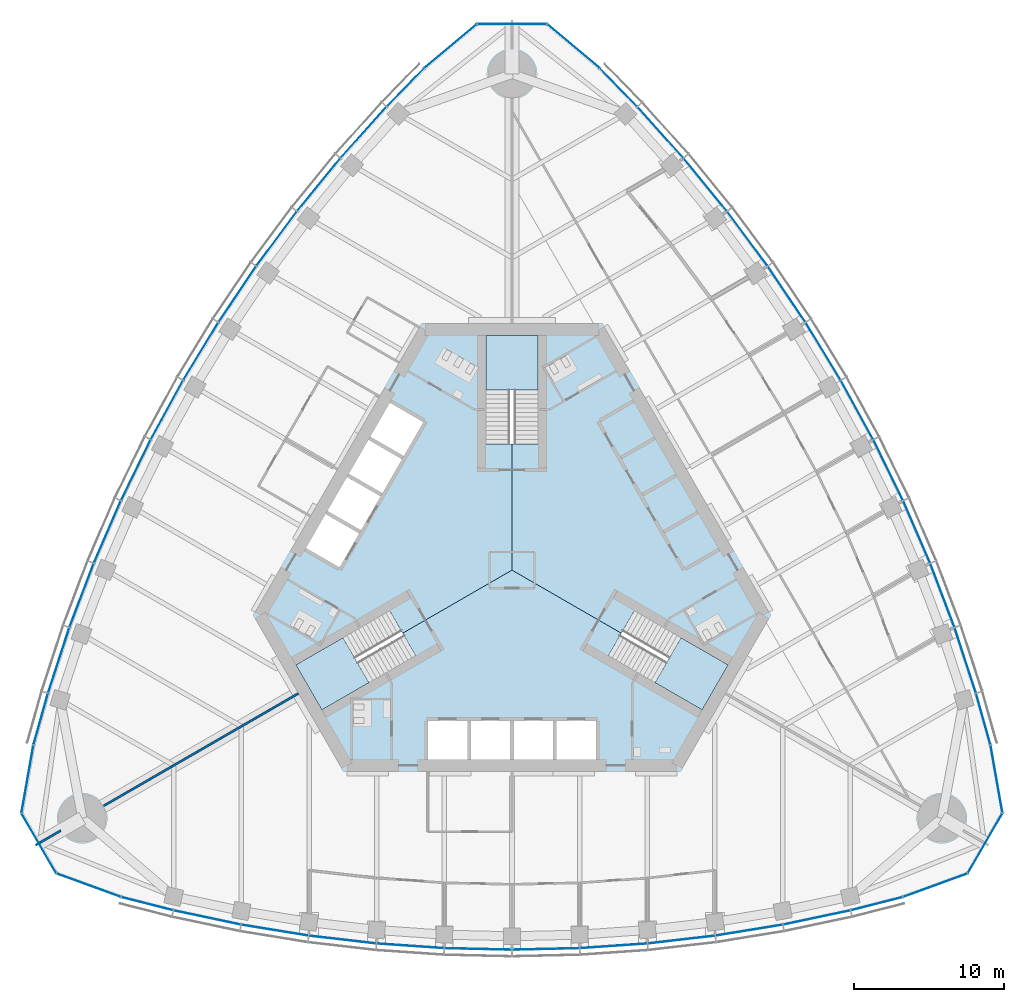
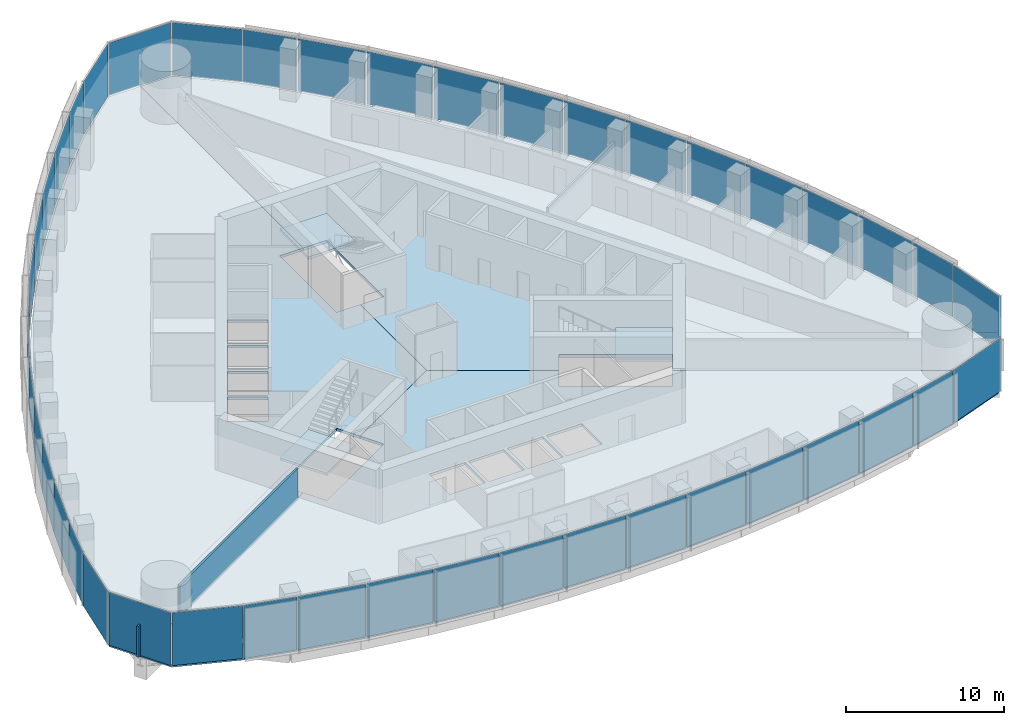
# One storey, part 10 of 20: 45 plates, 6 slabs, 2 walls, 9 elements without a shape of their own.
"""IFC4 building model written with IfcOpenShell, lengths in metres."""

import ifcopenshell
import ifcopenshell.guid

model = None  # the IFC model being written
_history = None  # IfcOwnerHistory: only IFC2X3 demands one
_inside = {}  # id of a spatial element -> (the spatial element, [elements in it])
_under = {}  # id of a project, library or spatial element -> (it, [spatial elements below it])
_declared = {}  # id of a project -> (the project, [libraries it declares])
_typed = {}  # id of a type object -> (the type object, [elements of that type])
_made_of = {}  # id of a material, layer set ... -> (it, [elements and type objects made of it])


def new_model(schema):
    """Start an empty IFC model of exactly this schema.

    Asked for "IFC4X3", IfcOpenShell would pick the latest addendum, in which some entities
    have other attributes; the version numbers below select the first issue.
    IFC2X3 requires an IfcOwnerHistory on every rooted entity: one is made here for all.
    """
    global model, _history
    if schema == "IFC4X3":
        model = ifcopenshell.file(schema_version=(4, 3, 0, 0))
    else:
        model = ifcopenshell.file(schema=schema)
    _inside.clear()
    _under.clear()
    _declared.clear()
    _typed.clear()
    _made_of.clear()
    _history = None
    if model.schema == "IFC2X3":
        org = make("IfcOrganization", Name="unknown")
        user = make(
            "IfcPersonAndOrganization",
            ThePerson=make("IfcPerson", FamilyName="unknown"),
            TheOrganization=org,
        )
        app = make(
            "IfcApplication",
            ApplicationDeveloper=org,
            Version="unknown",
            ApplicationFullName="unknown",
            ApplicationIdentifier="unknown",
        )
        _history = make(
            "IfcOwnerHistory",
            OwningUser=user,
            OwningApplication=app,
            ChangeAction="ADDED",
            CreationDate=0,
        )
    return model


def make(cls, **values):
    """One entity of the class cls with the attributes given. An attribute that is None is left unset."""
    return model.create_entity(
        cls, **{name: value for name, value in values.items() if value is not None}
    )


def rooted(cls, **values):
    """An entity with a GlobalId (a new one), such as an element, a storey or a relation."""
    return make(cls, GlobalId=ifcopenshell.guid.new(), OwnerHistory=_history, **values)


def si_unit(unit_type, name, prefix=None):
    """IfcSIUnit, for example si_unit("LENGTHUNIT", "METRE", prefix="MILLI")."""
    return make("IfcSIUnit", UnitType=unit_type, Prefix=prefix, Name=name)


def assignment(units):
    """IfcUnitAssignment: the units of a project."""
    return None if units is None else make("IfcUnitAssignment", Units=units)


def point(xyz):
    """IfcCartesianPoint."""
    return None if xyz is None else make("IfcCartesianPoint", Coordinates=xyz)


def direction(xyz):
    """IfcDirection."""
    return None if xyz is None else make("IfcDirection", DirectionRatios=xyz)


def frame(location, z_axis=None, x_axis=None):
    """IfcAxis2Placement3D, a coordinate frame: its origin and axes. An axis left out is left unset."""
    return make(
        "IfcAxis2Placement3D",
        Location=point(location),
        Axis=direction(z_axis),
        RefDirection=direction(x_axis),
    )


def frame_2d(location, x_axis=None):
    """IfcAxis2Placement2D, a coordinate frame in the plane: its origin and x axis."""
    return make(
        "IfcAxis2Placement2D", Location=point(location), RefDirection=direction(x_axis)
    )


def origin():
    """The frame at (0, 0, 0) with its axes left unset."""
    return frame((0.0, 0.0, 0.0))


def origin_2d():
    """The frame at (0, 0) in the plane with its x axis left unset."""
    return frame_2d((0.0, 0.0))


def place(relative_to, where):
    """IfcLocalPlacement: puts the frame where relative to a parent placement (None: the world)."""
    return make(
        "IfcLocalPlacement", PlacementRelTo=relative_to, RelativePlacement=where
    )


def context(
    kind, dimensions, precision=None, world=None, true_north=None, identifier=None
):
    """IfcGeometricRepresentationContext, for example the 3D "Model" context."""
    return make(
        "IfcGeometricRepresentationContext",
        ContextIdentifier=identifier,
        ContextType=kind,
        CoordinateSpaceDimension=dimensions,
        Precision=precision,
        WorldCoordinateSystem=world,
        TrueNorth=true_north,
    )


def subcontext(parent, identifier, kind, view, scale=None):
    """IfcGeometricRepresentationSubContext, for example "Body" below "Model"."""
    return make(
        "IfcGeometricRepresentationSubContext",
        ContextIdentifier=identifier,
        ContextType=kind,
        ParentContext=parent,
        TargetScale=scale,
        TargetView=view,
    )


def project(units=None, contexts=None):
    """IfcProject with its units and contexts."""
    return rooted(
        "IfcProject",
        Name="project",
        RepresentationContexts=contexts,
        UnitsInContext=assignment(units),
    )


def spatial(cls, under=None, at=None, **own):
    """A site, building, storey or space (cls), placed at a placement, below another one or the project."""
    s = rooted(cls, ObjectPlacement=at, **own)
    if under is not None:
        _under.setdefault(under.id(), (under, []))[1].append(s)
    return s


def polyline(points):
    """IfcPolyline through the points."""
    return make("IfcPolyline", Points=[point(p) for p in points])


def profile(cls, at=None, kind="AREA", **sizes):
    """A parametric profile (cls). Its sizes go by their IFC names, for example OverallWidth=200.0."""
    return make(cls, ProfileType=kind, Position=at, **sizes)


def rectangle(**sizes):
    """IfcRectangleProfileDef."""
    return profile("IfcRectangleProfileDef", **sizes)


def outline(outer, holes=None, kind="AREA"):
    """IfcArbitraryClosedProfileDef: a profile drawn as a closed curve; with holes, ...WithVoids."""
    if holes is None:
        return make("IfcArbitraryClosedProfileDef", ProfileType=kind, OuterCurve=outer)
    return make(
        "IfcArbitraryProfileDefWithVoids",
        ProfileType=kind,
        OuterCurve=outer,
        InnerCurves=holes,
    )


def extrude(swept, where, along, depth):
    """IfcExtrudedAreaSolid: the profile swept, set in the frame where, extruded along a direction by depth."""
    return make(
        "IfcExtrudedAreaSolid",
        SweptArea=swept,
        Position=where,
        ExtrudedDirection=direction(along),
        Depth=depth,
    )


def shape(context_of_items, identifier, shape_type, items):
    """IfcShapeRepresentation: the items that make up one representation, for example the "Body"."""
    return make(
        "IfcShapeRepresentation",
        ContextOfItems=context_of_items,
        RepresentationIdentifier=identifier,
        RepresentationType=shape_type,
        Items=items,
    )


def material(Name=None, Category=None):
    """IfcMaterial."""
    return make("IfcMaterial", Name=Name, Category=Category)


def layer(
    of_material, thickness, ventilated=None, Name=None, Category=None, Priority=None
):
    """IfcMaterialLayer: one layer of a wall or slab, of a material (None: an air gap)."""
    return make(
        "IfcMaterialLayer",
        Material=of_material,
        LayerThickness=thickness,
        IsVentilated=ventilated,
        Name=Name,
        Category=Category,
        Priority=Priority,
    )


def layer_set(layers, Name=None):
    """IfcMaterialLayerSet."""
    return make("IfcMaterialLayerSet", MaterialLayers=layers, LayerSetName=Name)


def made_of(thing, what):
    """Note that an element or type object is made of a material, layer set ...; save() writes the relation."""
    if what is not None:
        _made_of.setdefault(what.id(), (what, []))[1].append(thing)
    return thing


def type_object(cls, material=None, **own):
    """A type object (cls), such as IfcWallType, which elements share."""
    return made_of(rooted(cls, **own), material)


def element(
    cls,
    number,
    at=None,
    inside=None,
    cuts=None,
    type_object=None,
    material=None,
    context=None,
    identifier="Body",
    shape_type=None,
    held_by="IfcProductDefinitionShape",
    body=None,
    shapes=None,
    **own,
):
    """One element of the class cls, such as IfcWall. Its Tag is "e" and its number.

    at: its placement. inside: the storey or other place that contains it. cuts: it is an
    opening in that element (IfcRelVoidsElement). A single representation is given by context,
    identifier, shape_type and body (its items); several are given by shapes. held_by: the class
    of the entity that holds the representations. save() writes the other relations.
    """
    e = rooted(cls, Tag="e%d" % number, ObjectPlacement=at, **own)
    if body is not None:
        shapes = [shape(context, identifier, shape_type, body)]
    if shapes is not None:
        e.Representation = make(held_by, Representations=shapes)
    if inside is not None:
        _inside.setdefault(inside.id(), (inside, []))[1].append(e)
    if cuts is not None:
        rooted(
            "IfcRelVoidsElement", RelatingBuildingElement=cuts, RelatedOpeningElement=e
        )
    if type_object is not None:
        _typed.setdefault(type_object.id(), (type_object, []))[1].append(e)
    return made_of(e, material)


def aggregate(whole, parts):
    """IfcRelAggregates: a whole, such as a stair, and the parts it consists of."""
    return rooted("IfcRelAggregates", RelatingObject=whole, RelatedObjects=parts)


def save(model, path):
    """Write the relations noted so far, then the file.

    IfcRelAggregates (storeys below a building ...), IfcRelContainedInSpatialStructure (elements
    in a storey), IfcRelDefinesByType, IfcRelAssociatesMaterial and IfcRelDeclares: one each for
    every whole, place, type object, material and project.
    """
    for whole, parts in _under.values():
        aggregate(whole, parts)
    for where, things in _inside.values():
        rooted(
            "IfcRelContainedInSpatialStructure",
            RelatedElements=things,
            RelatingStructure=where,
        )
    for kind, things in _typed.values():
        rooted("IfcRelDefinesByType", RelatedObjects=things, RelatingType=kind)
    for what, things in _made_of.values():
        rooted("IfcRelAssociatesMaterial", RelatedObjects=things, RelatingMaterial=what)
    for by, libraries in _declared.values():
        rooted("IfcRelDeclares", RelatingContext=by, RelatedDefinitions=libraries)
    model.write(path)


model = new_model("IFC4")

# Units and contexts
model_context = context("Model", 3, precision=1e-05, world=origin(), true_north=direction((0.0, 1.0)))
body_context = subcontext(model_context, "Body", "Model", "MODEL_VIEW")
ifc_project = project(units=[si_unit("LENGTHUNIT", "METRE"), si_unit("AREAUNIT", "SQUARE_METRE"), si_unit("VOLUMEUNIT", "CUBIC_METRE"), si_unit("PLANEANGLEUNIT", "RADIAN"), si_unit("MASSUNIT", "GRAM", prefix="KILO")], contexts=[model_context])

# Site, building, storey
site_placement = place(None, origin())
site = spatial("IfcSite", under=ifc_project, at=site_placement, CompositionType="ELEMENT")
building_placement = place(site_placement, origin())
building = spatial("IfcBuilding", under=site, at=building_placement, Name="Trefoil Bronze Tower", CompositionType="ELEMENT")
storey_placement = place(building_placement, frame((0.0, 0.0, 210.699951171875)))
storey = spatial("IfcBuildingStorey", under=building, at=storey_placement, Name="L48", CompositionType="ELEMENT", Elevation=210.699951171875)

# Curtain wall, plates
ifc_material_1 = material(Name="Tinted solar-control glass", Category="glass")
curtain_wall_type_1 = type_object("IfcCurtainWallType", Name="Bronze office curtain wall", PredefinedType="USERDEFINED", material=ifc_material_1)
curtain_wall_1_placement = place(storey_placement, origin())
curtain_wall_1 = element("IfcCurtainWall", 1, at=curtain_wall_1_placement, inside=storey, type_object=curtain_wall_type_1, Name="CW-A L48 F1", ObjectType="CURTAIN WALL", PredefinedType="USERDEFINED")
ifc_material_2 = material(Name="Tinted solar-control glass", Category="glass")
ifc_layer_1 = layer(ifc_material_2, 0.030029296875)
ifc_layer_set_1 = layer_set([ifc_layer_1], Name="Bronze office curtain wall glass panel")
plate_type_1 = type_object("IfcPlateType", Name="Bronze office curtain wall glass panel", PredefinedType="CURTAIN_PANEL", material=ifc_layer_set_1)
plate_1_placement = place(storey_placement, frame((-24.251220703125, -22.188232421875, 0.0), z_axis=(0.0, 0.0, 1.0), x_axis=(0.968934035393, -0.247319297786, 0.0)))
plate_1 = element("IfcPlate", 2, at=plate_1_placement, type_object=plate_type_1, Name="CW-A L48 F1 panel 1", PredefinedType="CURTAIN_PANEL", context=body_context, shape_type="SweptSolid", body=[
    extrude(rectangle(XDim=3.483642578125, YDim=0.030029296875, at=origin_2d()), origin(), (0.0, 0.0, 1.0), 4.080078125),
])
plate_2_placement = place(storey_placement, frame((-20.270751953125, -23.105224609375, 0.0), z_axis=(0.0, 0.0, 1.0), x_axis=(0.978394335897, -0.20674748725, 0.0)))
plate_2 = element("IfcPlate", 3, at=plate_2_placement, type_object=plate_type_1, Name="CW-A L48 F1 panel 2", PredefinedType="CURTAIN_PANEL", context=body_context, shape_type="SweptSolid", body=[
    extrude(rectangle(XDim=4.519287109375, YDim=0.030029296875, at=origin_2d()), origin(), (0.0, 0.0, 1.0), 4.080078125),
])
plate_3_placement = place(storey_placement, frame((-15.76611328125, -23.9482421875, 0.0), z_axis=(0.0, 0.0, 1.0), x_axis=(0.986986549528, -0.160802832848, 0.0)))
plate_3 = element("IfcPlate", 4, at=plate_3_placement, type_object=plate_type_1, Name="CW-A L48 F1 panel 3", PredefinedType="CURTAIN_PANEL", context=body_context, shape_type="SweptSolid", body=[
    extrude(rectangle(XDim=4.479248046875, YDim=0.030029296875, at=origin_2d()), origin(), (0.0, 0.0, 1.0), 4.080078125),
])
plate_4_placement = place(storey_placement, frame((-11.261474609375, -24.57568359375, 0.0), z_axis=(0.0, 0.0, 1.0), x_axis=(0.993381831741, -0.114858767043, 0.0)))
plate_4 = element("IfcPlate", 5, at=plate_4_placement, type_object=plate_type_1, Name="CW-A L48 F1 panel 4", PredefinedType="CURTAIN_PANEL", context=body_context, shape_type="SweptSolid", body=[
    extrude(rectangle(XDim=4.449951171875, YDim=0.030029296875, at=origin_2d()), origin(), (0.0, 0.0, 1.0), 4.080078125),
])
plate_5_placement = place(storey_placement, frame((-6.7568359375, -24.991455078125, 0.0), z_axis=(0.0, 0.0, 1.0), x_axis=(0.99762252804, -0.068915103905, 0.0)))
plate_5 = element("IfcPlate", 6, at=plate_5_placement, type_object=plate_type_1, Name="CW-A L48 F1 panel 5", PredefinedType="CURTAIN_PANEL", context=body_context, shape_type="SweptSolid", body=[
    extrude(rectangle(XDim=4.4306640625, YDim=0.030029296875, at=origin_2d()), origin(), (0.0, 0.0, 1.0), 4.080078125),
])
plate_6_placement = place(storey_placement, frame((-2.252197265625, -25.198974609375, 0.0), z_axis=(0.0, 0.0, 1.0), x_axis=(0.999736116243, -0.022971675577, 0.0)))
plate_6 = element("IfcPlate", 7, at=plate_6_placement, type_object=plate_type_1, Name="CW-A L48 F1 panel 6", PredefinedType="CURTAIN_PANEL", context=body_context, shape_type="SweptSolid", body=[
    extrude(rectangle(XDim=4.421142578125, YDim=0.030029296875, at=origin_2d()), origin(), (0.0, 0.0, 1.0), 4.080078125),
])
plate_7_placement = place(storey_placement, frame((2.252197265625, -25.198974609375, 0.0), z_axis=(0.0, 0.0, 1.0), x_axis=(0.999736116243, 0.022971675577, 0.0)))
plate_7 = element("IfcPlate", 8, at=plate_7_placement, type_object=plate_type_1, Name="CW-A L48 F1 panel 7", PredefinedType="CURTAIN_PANEL", context=body_context, shape_type="SweptSolid", body=[
    extrude(rectangle(XDim=4.421142578125, YDim=0.030029296875, at=origin_2d()), origin(), (0.0, 0.0, 1.0), 4.080078125),
])
plate_8_placement = place(storey_placement, frame((6.7568359375, -24.991455078125, 0.0), z_axis=(0.0, 0.0, 1.0), x_axis=(0.99762252804, 0.068915103905, 0.0)))
plate_8 = element("IfcPlate", 9, at=plate_8_placement, type_object=plate_type_1, Name="CW-A L48 F1 panel 8", PredefinedType="CURTAIN_PANEL", context=body_context, shape_type="SweptSolid", body=[
    extrude(rectangle(XDim=4.4306640625, YDim=0.030029296875, at=origin_2d()), origin(), (0.0, 0.0, 1.0), 4.080078125),
])
plate_9_placement = place(storey_placement, frame((11.261474609375, -24.57568359375, 0.0), z_axis=(0.0, 0.0, 1.0), x_axis=(0.993381831741, 0.114858767043, 0.0)))
plate_9 = element("IfcPlate", 10, at=plate_9_placement, type_object=plate_type_1, Name="CW-A L48 F1 panel 9", PredefinedType="CURTAIN_PANEL", context=body_context, shape_type="SweptSolid", body=[
    extrude(rectangle(XDim=4.449951171875, YDim=0.030029296875, at=origin_2d()), origin(), (0.0, 0.0, 1.0), 4.080078125),
])
plate_10_placement = place(storey_placement, frame((15.76611328125, -23.9482421875, 0.0), z_axis=(0.0, 0.0, 1.0), x_axis=(0.986986549528, 0.160802832848, 0.0)))
plate_10 = element("IfcPlate", 11, at=plate_10_placement, type_object=plate_type_1, Name="CW-A L48 F1 panel 10", PredefinedType="CURTAIN_PANEL", context=body_context, shape_type="SweptSolid", body=[
    extrude(rectangle(XDim=4.479248046875, YDim=0.030029296875, at=origin_2d()), origin(), (0.0, 0.0, 1.0), 4.080078125),
])
plate_11_placement = place(storey_placement, frame((20.270751953125, -23.105224609375, 0.0), z_axis=(0.0, 0.0, 1.0), x_axis=(0.978394335897, 0.20674748725, 0.0)))
plate_11 = element("IfcPlate", 12, at=plate_11_placement, type_object=plate_type_1, Name="CW-A L48 F1 panel 11", PredefinedType="CURTAIN_PANEL", context=body_context, shape_type="SweptSolid", body=[
    extrude(rectangle(XDim=4.519287109375, YDim=0.030029296875, at=origin_2d()), origin(), (0.0, 0.0, 1.0), 4.080078125),
])
plate_12_placement = place(storey_placement, frame((24.251220703125, -22.188232421875, 0.0), z_axis=(0.0, 0.0, 1.0), x_axis=(0.968934035393, 0.247319297786, 0.0)))
plate_12 = element("IfcPlate", 13, at=plate_12_placement, type_object=plate_type_1, Name="CW-A L48 F1 panel 12", PredefinedType="CURTAIN_PANEL", context=body_context, shape_type="SweptSolid", body=[
    extrude(rectangle(XDim=3.483642578125, YDim=0.030029296875, at=origin_2d()), origin(), (0.0, 0.0, 1.0), 4.080078125),
])
aggregate(curtain_wall_1, [plate_1, plate_2, plate_3, plate_4, plate_5, plate_6, plate_7, plate_8, plate_9, plate_10, plate_11, plate_12])

curtain_wall_2_placement = place(storey_placement, origin())
curtain_wall_2 = element("IfcCurtainWall", 14, at=curtain_wall_2_placement, inside=storey, type_object=curtain_wall_type_1, Name="CW-A L48 F2", ObjectType="CURTAIN WALL", PredefinedType="USERDEFINED")
plate_13_placement = place(storey_placement, frame((31.341064453125, -9.907958984375, 0.0), z_axis=(0.0, 0.0, 1.0), x_axis=(-0.270282222968, 0.962781138134, 0.0)))
plate_13 = element("IfcPlate", 15, at=plate_13_placement, type_object=plate_type_1, Name="CW-A L48 F2 panel 1", PredefinedType="CURTAIN_PANEL", context=body_context, shape_type="SweptSolid", body=[
    extrude(rectangle(XDim=3.483642578125, YDim=0.030029296875, at=origin_2d()), origin(), (0.0, 0.0, 1.0), 4.080078125),
])
plate_14_placement = place(storey_placement, frame((30.14501953125, -6.002197265625, 0.0), z_axis=(0.0, 0.0, 1.0), x_axis=(-0.310148591821, 0.950688093431, 0.0)))
plate_14 = element("IfcPlate", 16, at=plate_14_placement, type_object=plate_type_1, Name="CW-A L48 F2 panel 2", PredefinedType="CURTAIN_PANEL", context=body_context, shape_type="SweptSolid", body=[
    extrude(rectangle(XDim=4.519287109375, YDim=0.030029296875, at=origin_2d()), origin(), (0.0, 0.0, 1.0), 4.080078125),
])
plate_15_placement = place(storey_placement, frame((28.622802734375, -1.6796875, 0.0), z_axis=(0.0, 0.0, 1.0), x_axis=(-0.354233936517, 0.935156841508, 0.0)))
plate_15 = element("IfcPlate", 17, at=plate_15_placement, type_object=plate_type_1, Name="CW-A L48 F2 panel 3", PredefinedType="CURTAIN_PANEL", context=body_context, shape_type="SweptSolid", body=[
    extrude(rectangle(XDim=4.479248046875, YDim=0.030029296875, at=origin_2d()), origin(), (0.0, 0.0, 1.0), 4.080078125),
])
plate_16_placement = place(storey_placement, frame((26.913818359375, 2.53515625, 0.0), z_axis=(0.0, 0.0, 1.0), x_axis=(-0.397220305764, 0.917723285467, 0.0)))
plate_16 = element("IfcPlate", 18, at=plate_16_placement, type_object=plate_type_1, Name="CW-A L48 F2 panel 4", PredefinedType="CURTAIN_PANEL", context=body_context, shape_type="SweptSolid", body=[
    extrude(rectangle(XDim=4.449951171875, YDim=0.030029296875, at=origin_2d()), origin(), (0.0, 0.0, 1.0), 4.080078125),
])
plate_17_placement = place(storey_placement, frame((25.021728515625, 6.64404296875, 0.0), z_axis=(0.0, 0.0, 1.0), x_axis=(-0.439129033334, 0.898424004623, 0.0)))
plate_17 = element("IfcPlate", 19, at=plate_17_placement, type_object=plate_type_1, Name="CW-A L48 F2 panel 5", PredefinedType="CURTAIN_PANEL", context=body_context, shape_type="SweptSolid", body=[
    extrude(rectangle(XDim=4.4306640625, YDim=0.030029296875, at=origin_2d()), origin(), (0.0, 0.0, 1.0), 4.080078125),
])
plate_18_placement = place(storey_placement, frame((22.948974609375, 10.64892578125, 0.0), z_axis=(0.0, 0.0, 1.0), x_axis=(-0.479974003504, 0.877282711536, 0.0)))
plate_18 = element("IfcPlate", 20, at=plate_18_placement, type_object=plate_type_1, Name="CW-A L48 F2 panel 6", PredefinedType="CURTAIN_PANEL", context=body_context, shape_type="SweptSolid", body=[
    extrude(rectangle(XDim=4.421142578125, YDim=0.030029296875, at=origin_2d()), origin(), (0.0, 0.0, 1.0), 4.080078125),
])
plate_19_placement = place(storey_placement, frame((20.69677734375, 14.550048828125, 0.0), z_axis=(0.0, 0.0, 1.0), x_axis=(-0.519762112739, 0.854311035959, 0.0)))
plate_19 = element("IfcPlate", 21, at=plate_19_placement, type_object=plate_type_1, Name="CW-A L48 F2 panel 7", PredefinedType="CURTAIN_PANEL", context=body_context, shape_type="SweptSolid", body=[
    extrude(rectangle(XDim=4.421142578125, YDim=0.030029296875, at=origin_2d()), origin(), (0.0, 0.0, 1.0), 4.080078125),
])
plate_20_placement = place(storey_placement, frame((18.264892578125, 18.347412109375, 0.0), z_axis=(0.0, 0.0, 1.0), x_axis=(-0.558493494706, 0.829508900718, 0.0)))
plate_20 = element("IfcPlate", 22, at=plate_20_placement, type_object=plate_type_1, Name="CW-A L48 F2 panel 8", PredefinedType="CURTAIN_PANEL", context=body_context, shape_type="SweptSolid", body=[
    extrude(rectangle(XDim=4.4306640625, YDim=0.030029296875, at=origin_2d()), origin(), (0.0, 0.0, 1.0), 4.080078125),
])
plate_21_placement = place(storey_placement, frame((15.65234375, 22.04052734375, 0.0), z_axis=(0.0, 0.0, 1.0), x_axis=(-0.596161525977, 0.802864518425, 0.0)))
plate_21 = element("IfcPlate", 23, at=plate_21_placement, type_object=plate_type_1, Name="CW-A L48 F2 panel 9", PredefinedType="CURTAIN_PANEL", context=body_context, shape_type="SweptSolid", body=[
    extrude(rectangle(XDim=4.449951171875, YDim=0.030029296875, at=origin_2d()), origin(), (0.0, 0.0, 1.0), 4.080078125),
])
plate_22_placement = place(storey_placement, frame((12.856689453125, 25.6279296875, 0.0), z_axis=(0.0, 0.0, 1.0), x_axis=(-0.63275261301, 0.774354008661, 0.0)))
plate_22 = element("IfcPlate", 24, at=plate_22_placement, type_object=plate_type_1, Name="CW-A L48 F2 panel 10", PredefinedType="CURTAIN_PANEL", context=body_context, shape_type="SweptSolid", body=[
    extrude(rectangle(XDim=4.479248046875, YDim=0.030029296875, at=origin_2d()), origin(), (0.0, 0.0, 1.0), 4.080078125),
])
plate_23_placement = place(storey_placement, frame((9.87451171875, 29.107666015625, 0.0), z_axis=(0.0, 0.0, 1.0), x_axis=(-0.668245744076, 0.743940606181, 0.0)))
plate_23 = element("IfcPlate", 25, at=plate_23_placement, type_object=plate_type_1, Name="CW-A L48 F2 panel 11", PredefinedType="CURTAIN_PANEL", context=body_context, shape_type="SweptSolid", body=[
    extrude(rectangle(XDim=4.519287109375, YDim=0.030029296875, at=origin_2d()), origin(), (0.0, 0.0, 1.0), 4.080078125),
])
plate_24_placement = place(storey_placement, frame((7.08984375, 32.09619140625, 0.0), z_axis=(0.0, 0.0, 1.0), x_axis=(-0.698651812425, 0.715461840349, 0.0)))
plate_24 = element("IfcPlate", 26, at=plate_24_placement, type_object=plate_type_1, Name="CW-A L48 F2 panel 12", PredefinedType="CURTAIN_PANEL", context=body_context, shape_type="SweptSolid", body=[
    extrude(rectangle(XDim=3.483642578125, YDim=0.030029296875, at=origin_2d()), origin(), (0.0, 0.0, 1.0), 4.080078125),
])
aggregate(curtain_wall_2, [plate_13, plate_14, plate_15, plate_16, plate_17, plate_18, plate_19, plate_20, plate_21, plate_22, plate_23, plate_24])

curtain_wall_3_placement = place(storey_placement, origin())
curtain_wall_3 = element("IfcCurtainWall", 27, at=curtain_wall_3_placement, inside=storey, type_object=curtain_wall_type_1, Name="CW-A L48 F3", ObjectType="CURTAIN WALL", PredefinedType="USERDEFINED")
plate_25_placement = place(storey_placement, frame((-7.08984375, 32.09619140625, 0.0), z_axis=(0.0, 0.0, 1.0), x_axis=(-0.698651812425, -0.715461840349, 0.0)))
plate_25 = element("IfcPlate", 28, at=plate_25_placement, type_object=plate_type_1, Name="CW-A L48 F3 panel 1", PredefinedType="CURTAIN_PANEL", context=body_context, shape_type="SweptSolid", body=[
    extrude(rectangle(XDim=3.483642578125, YDim=0.030029296875, at=origin_2d()), origin(), (0.0, 0.0, 1.0), 4.080078125),
])
plate_26_placement = place(storey_placement, frame((-9.87451171875, 29.107666015625, 0.0), z_axis=(0.0, 0.0, 1.0), x_axis=(-0.668245744076, -0.743940606181, 0.0)))
plate_26 = element("IfcPlate", 29, at=plate_26_placement, type_object=plate_type_1, Name="CW-A L48 F3 panel 2", PredefinedType="CURTAIN_PANEL", context=body_context, shape_type="SweptSolid", body=[
    extrude(rectangle(XDim=4.519287109375, YDim=0.030029296875, at=origin_2d()), origin(), (0.0, 0.0, 1.0), 4.080078125),
])
plate_27_placement = place(storey_placement, frame((-12.856689453125, 25.6279296875, 0.0), z_axis=(0.0, 0.0, 1.0), x_axis=(-0.63275261301, -0.774354008661, 0.0)))
plate_27 = element("IfcPlate", 30, at=plate_27_placement, type_object=plate_type_1, Name="CW-A L48 F3 panel 3", PredefinedType="CURTAIN_PANEL", context=body_context, shape_type="SweptSolid", body=[
    extrude(rectangle(XDim=4.479248046875, YDim=0.030029296875, at=origin_2d()), origin(), (0.0, 0.0, 1.0), 4.080078125),
])
plate_28_placement = place(storey_placement, frame((-15.65234375, 22.04052734375, 0.0), z_axis=(0.0, 0.0, 1.0), x_axis=(-0.596161525977, -0.802864518425, 0.0)))
plate_28 = element("IfcPlate", 31, at=plate_28_placement, type_object=plate_type_1, Name="CW-A L48 F3 panel 4", PredefinedType="CURTAIN_PANEL", context=body_context, shape_type="SweptSolid", body=[
    extrude(rectangle(XDim=4.449951171875, YDim=0.030029296875, at=origin_2d()), origin(), (0.0, 0.0, 1.0), 4.080078125),
])
plate_29_placement = place(storey_placement, frame((-18.264892578125, 18.347412109375, 0.0), z_axis=(0.0, 0.0, 1.0), x_axis=(-0.558493494706, -0.829508900718, 0.0)))
plate_29 = element("IfcPlate", 32, at=plate_29_placement, type_object=plate_type_1, Name="CW-A L48 F3 panel 5", PredefinedType="CURTAIN_PANEL", context=body_context, shape_type="SweptSolid", body=[
    extrude(rectangle(XDim=4.4306640625, YDim=0.030029296875, at=origin_2d()), origin(), (0.0, 0.0, 1.0), 4.080078125),
])
plate_30_placement = place(storey_placement, frame((-20.69677734375, 14.550048828125, 0.0), z_axis=(0.0, 0.0, 1.0), x_axis=(-0.519762112739, -0.854311035959, 0.0)))
plate_30 = element("IfcPlate", 33, at=plate_30_placement, type_object=plate_type_1, Name="CW-A L48 F3 panel 6", PredefinedType="CURTAIN_PANEL", context=body_context, shape_type="SweptSolid", body=[
    extrude(rectangle(XDim=4.421142578125, YDim=0.030029296875, at=origin_2d()), origin(), (0.0, 0.0, 1.0), 4.080078125),
])
plate_31_placement = place(storey_placement, frame((-22.948974609375, 10.64892578125, 0.0), z_axis=(0.0, 0.0, 1.0), x_axis=(-0.479974003504, -0.877282711536, 0.0)))
plate_31 = element("IfcPlate", 34, at=plate_31_placement, type_object=plate_type_1, Name="CW-A L48 F3 panel 7", PredefinedType="CURTAIN_PANEL", context=body_context, shape_type="SweptSolid", body=[
    extrude(rectangle(XDim=4.421142578125, YDim=0.030029296875, at=origin_2d()), origin(), (0.0, 0.0, 1.0), 4.080078125),
])
plate_32_placement = place(storey_placement, frame((-25.021728515625, 6.64404296875, 0.0), z_axis=(0.0, 0.0, 1.0), x_axis=(-0.439129033334, -0.898424004623, 0.0)))
plate_32 = element("IfcPlate", 35, at=plate_32_placement, type_object=plate_type_1, Name="CW-A L48 F3 panel 8", PredefinedType="CURTAIN_PANEL", context=body_context, shape_type="SweptSolid", body=[
    extrude(rectangle(XDim=4.4306640625, YDim=0.030029296875, at=origin_2d()), origin(), (0.0, 0.0, 1.0), 4.080078125),
])
plate_33_placement = place(storey_placement, frame((-26.913818359375, 2.53515625, 0.0), z_axis=(0.0, 0.0, 1.0), x_axis=(-0.397220305764, -0.917723285467, 0.0)))
plate_33 = element("IfcPlate", 36, at=plate_33_placement, type_object=plate_type_1, Name="CW-A L48 F3 panel 9", PredefinedType="CURTAIN_PANEL", context=body_context, shape_type="SweptSolid", body=[
    extrude(rectangle(XDim=4.449951171875, YDim=0.030029296875, at=origin_2d()), origin(), (0.0, 0.0, 1.0), 4.080078125),
])
plate_34_placement = place(storey_placement, frame((-28.622802734375, -1.6796875, 0.0), z_axis=(0.0, 0.0, 1.0), x_axis=(-0.354233936517, -0.935156841508, 0.0)))
plate_34 = element("IfcPlate", 37, at=plate_34_placement, type_object=plate_type_1, Name="CW-A L48 F3 panel 10", PredefinedType="CURTAIN_PANEL", context=body_context, shape_type="SweptSolid", body=[
    extrude(rectangle(XDim=4.479248046875, YDim=0.030029296875, at=origin_2d()), origin(), (0.0, 0.0, 1.0), 4.080078125),
])
plate_35_placement = place(storey_placement, frame((-30.14501953125, -6.002197265625, 0.0), z_axis=(0.0, 0.0, 1.0), x_axis=(-0.310148591821, -0.950688093431, 0.0)))
plate_35 = element("IfcPlate", 38, at=plate_35_placement, type_object=plate_type_1, Name="CW-A L48 F3 panel 11", PredefinedType="CURTAIN_PANEL", context=body_context, shape_type="SweptSolid", body=[
    extrude(rectangle(XDim=4.519287109375, YDim=0.030029296875, at=origin_2d()), origin(), (0.0, 0.0, 1.0), 4.080078125),
])
plate_36_placement = place(storey_placement, frame((-31.341064453125, -9.907958984375, 0.0), z_axis=(0.0, 0.0, 1.0), x_axis=(-0.270282222968, -0.962781138134, 0.0)))
plate_36 = element("IfcPlate", 39, at=plate_36_placement, type_object=plate_type_1, Name="CW-A L48 F3 panel 12", PredefinedType="CURTAIN_PANEL", context=body_context, shape_type="SweptSolid", body=[
    extrude(rectangle(XDim=3.483642578125, YDim=0.030029296875, at=origin_2d()), origin(), (0.0, 0.0, 1.0), 4.080078125),
])
aggregate(curtain_wall_3, [plate_25, plate_26, plate_27, plate_28, plate_29, plate_30, plate_31, plate_32, plate_33, plate_34, plate_35, plate_36])

ifc_material_3 = material(Name="Tinted solar-control glass", Category="glass")
curtain_wall_type_2 = type_object("IfcCurtainWallType", Name="Bronze rounded corner curtain wall", PredefinedType="USERDEFINED", material=ifc_material_3)
curtain_wall_4_placement = place(storey_placement, origin())
curtain_wall_4 = element("IfcCurtainWall", 40, at=curtain_wall_4_placement, inside=storey, type_object=curtain_wall_type_2, Name="CW-B L48 K1", ObjectType="CURTAIN WALL", PredefinedType="USERDEFINED")
ifc_material_4 = material(Name="Tinted solar-control glass", Category="glass")
ifc_layer_2 = layer(ifc_material_4, 0.030029296875)
ifc_layer_set_2 = layer_set([ifc_layer_2], Name="Bronze rounded corner curtain wall glass panel")
plate_type_2 = type_object("IfcPlateType", Name="Bronze rounded corner curtain wall glass panel", PredefinedType="CURTAIN_PANEL", material=ifc_layer_set_2)
plate_37_placement = place(storey_placement, frame((28.1298828125, -20.96484375, 0.0), z_axis=(0.0, 0.0, 1.0), x_axis=(0.939692620786, 0.342020143326, 0.0)))
plate_37 = element("IfcPlate", 41, at=plate_37_placement, type_object=plate_type_2, Name="CW-B L48 K1 panel 1", PredefinedType="CURTAIN_PANEL", context=body_context, shape_type="SweptSolid", body=[
    extrude(rectangle(XDim=4.500244140625, YDim=0.030029296875, at=origin_2d()), origin(), (0.0, 0.0, 1.0), 4.080078125),
])
plate_38_placement = place(storey_placement, frame((31.46484375, -18.166259765625, 0.0), z_axis=(0.0, 0.0, 1.0), x_axis=(0.5, 0.866025403784, 0.0)))
plate_38 = element("IfcPlate", 42, at=plate_38_placement, type_object=plate_type_2, Name="CW-B L48 K1 panel 2", PredefinedType="CURTAIN_PANEL", context=body_context, shape_type="SweptSolid", body=[
    extrude(rectangle(XDim=4.500244140625, YDim=0.030029296875, at=origin_2d()), origin(), (0.0, 0.0, 1.0), 4.080078125),
])
plate_39_placement = place(storey_placement, frame((32.220947265625, -13.878662109375, 0.0), z_axis=(0.0, 0.0, 1.0), x_axis=(-0.173648177667, 0.984807753012, 0.0)))
plate_39 = element("IfcPlate", 43, at=plate_39_placement, type_object=plate_type_2, Name="CW-B L48 K1 panel 3", PredefinedType="CURTAIN_PANEL", context=body_context, shape_type="SweptSolid", body=[
    extrude(rectangle(XDim=4.500244140625, YDim=0.030029296875, at=origin_2d()), origin(), (0.0, 0.0, 1.0), 4.080078125),
])
aggregate(curtain_wall_4, [plate_37, plate_38, plate_39])

curtain_wall_5_placement = place(storey_placement, origin())
curtain_wall_5 = element("IfcCurtainWall", 44, at=curtain_wall_5_placement, inside=storey, type_object=curtain_wall_type_2, Name="CW-B L48 K2", ObjectType="CURTAIN WALL", PredefinedType="USERDEFINED")
plate_40_placement = place(storey_placement, frame((4.091064453125, 34.843505859375, 0.0), z_axis=(0.0, 0.0, 1.0), x_axis=(-0.766044443119, 0.642787609687, 0.0)))
plate_40 = element("IfcPlate", 45, at=plate_40_placement, type_object=plate_type_2, Name="CW-B L48 K2 panel 1", PredefinedType="CURTAIN_PANEL", context=body_context, shape_type="SweptSolid", body=[
    extrude(rectangle(XDim=4.500244140625, YDim=0.030029296875, at=origin_2d()), origin(), (0.0, 0.0, 1.0), 4.080078125),
])
plate_41_placement = place(storey_placement, frame((0.0, 36.33251953125, 0.0), z_axis=(0.0, 0.0, 1.0), x_axis=(-1.0, 0.0, 0.0)))
plate_41 = element("IfcPlate", 46, at=plate_41_placement, type_object=plate_type_2, Name="CW-B L48 K2 panel 2", PredefinedType="CURTAIN_PANEL", context=body_context, shape_type="SweptSolid", body=[
    extrude(rectangle(XDim=4.500244140625, YDim=0.030029296875, at=origin_2d()), origin(), (0.0, 0.0, 1.0), 4.080078125),
])
plate_42_placement = place(storey_placement, frame((-4.091064453125, 34.843505859375, 0.0), z_axis=(0.0, 0.0, 1.0), x_axis=(-0.766044443119, -0.642787609687, 0.0)))
plate_42 = element("IfcPlate", 47, at=plate_42_placement, type_object=plate_type_2, Name="CW-B L48 K2 panel 3", PredefinedType="CURTAIN_PANEL", context=body_context, shape_type="SweptSolid", body=[
    extrude(rectangle(XDim=4.500244140625, YDim=0.030029296875, at=origin_2d()), origin(), (0.0, 0.0, 1.0), 4.080078125),
])
aggregate(curtain_wall_5, [plate_40, plate_41, plate_42])

curtain_wall_6_placement = place(storey_placement, origin())
curtain_wall_6 = element("IfcCurtainWall", 48, at=curtain_wall_6_placement, inside=storey, type_object=curtain_wall_type_2, Name="CW-B L48 K3", ObjectType="CURTAIN WALL", PredefinedType="USERDEFINED")
plate_43_placement = place(storey_placement, frame((-32.220947265625, -13.878662109375, 0.0), z_axis=(0.0, 0.0, 1.0), x_axis=(-0.173648177667, -0.984807753012, 0.0)))
plate_43 = element("IfcPlate", 49, at=plate_43_placement, type_object=plate_type_2, Name="CW-B L48 K3 panel 1", PredefinedType="CURTAIN_PANEL", context=body_context, shape_type="SweptSolid", body=[
    extrude(rectangle(XDim=4.500244140625, YDim=0.030029296875, at=origin_2d()), origin(), (0.0, 0.0, 1.0), 4.080078125),
])
plate_44_placement = place(storey_placement, frame((-31.46484375, -18.166259765625, 0.0), z_axis=(0.0, 0.0, 1.0), x_axis=(0.5, -0.866025403784, 0.0)))
plate_44 = element("IfcPlate", 50, at=plate_44_placement, type_object=plate_type_2, Name="CW-B L48 K3 panel 2", PredefinedType="CURTAIN_PANEL", context=body_context, shape_type="SweptSolid", body=[
    extrude(rectangle(XDim=4.500244140625, YDim=0.030029296875, at=origin_2d()), origin(), (0.0, 0.0, 1.0), 4.080078125),
])
plate_45_placement = place(storey_placement, frame((-28.1298828125, -20.96484375, 0.0), z_axis=(0.0, 0.0, 1.0), x_axis=(0.939692620786, -0.342020143326, 0.0)))
plate_45 = element("IfcPlate", 51, at=plate_45_placement, type_object=plate_type_2, Name="CW-B L48 K3 panel 3", PredefinedType="CURTAIN_PANEL", context=body_context, shape_type="SweptSolid", body=[
    extrude(rectangle(XDim=4.500244140625, YDim=0.030029296875, at=origin_2d()), origin(), (0.0, 0.0, 1.0), 4.080078125),
])
aggregate(curtain_wall_6, [plate_43, plate_44, plate_45])

# Slabs
ifc_material_5 = material(Name="Concrete B30", Category="concrete")
ifc_layer_3 = layer(ifc_material_5, 0.199951171875)
ifc_layer_set_3 = layer_set([ifc_layer_3], Name="Floor slab 200")
slab_type_1 = type_object("IfcSlabType", Name="Floor slab 200", PredefinedType="FLOOR", material=ifc_layer_set_3)
slab_1_placement = place(storey_placement, frame((0.0, 0.0, -0.199951171875)))
element("IfcSlab", 52, at=slab_1_placement, inside=storey, type_object=slab_type_1, Name="Floor slab L48 face 1", PredefinedType="FLOOR", context=body_context, shape_type="SweptSolid", body=[
    extrude(outline(polyline([(18.0, -23.48291015625), (13.5, -24.216064453125), (9.0, -24.736328125), (4.5, -25.047119140625), (0.0, -25.150634765625), (-4.5, -25.047119140625), (-9.0, -24.736328125), (-13.5, -24.216064453125), (-18.0, -23.48291015625), (-22.5, -22.531982421875), (-25.952880859375, -21.650634765625), (-30.23828125, -20.0908203125), (-31.37841796875, -18.1162109375), (-13.510009765625, -7.800048828125), (-12.6474609375, -9.2939453125), (-6.412109375, -5.69384765625), (-7.274658203125, -4.199951171875), (0.0, 0.0), (7.274658203125, -4.199951171875), (6.412109375, -5.69384765625), (12.6474609375, -9.2939453125), (13.510009765625, -7.800048828125), (31.37841796875, -18.1162109375), (30.23828125, -20.0908203125), (25.952880859375, -21.650634765625), (22.5, -22.531982421875), (18.0, -23.48291015625)]), holes=[polyline([(-5.574951171875, -10.02490234375), (-2.97509765625, -10.02490234375), (-2.97509765625, -12.60009765625), (-5.574951171875, -12.60009765625), (-5.574951171875, -10.02490234375)]), polyline([(-2.72509765625, -10.02490234375), (-0.125, -10.02490234375), (-0.125, -12.60009765625), (-2.72509765625, -12.60009765625), (-2.72509765625, -10.02490234375)]), polyline([(0.125, -10.02490234375), (2.72509765625, -10.02490234375), (2.72509765625, -12.60009765625), (0.125, -12.60009765625), (0.125, -10.02490234375)]), polyline([(2.97509765625, -10.02490234375), (5.574951171875, -10.02490234375), (5.574951171875, -12.60009765625), (2.97509765625, -12.60009765625), (2.97509765625, -10.02490234375)])]), origin(), (0.0, 0.0, 1.0), 0.199951171875),
])
slab_2_placement = place(storey_placement, frame((0.0, 0.0, -0.199951171875)))
element("IfcSlab", 53, at=slab_2_placement, inside=storey, type_object=slab_type_1, Name="Floor slab L48 face 2", PredefinedType="FLOOR", context=body_context, shape_type="SweptSolid", body=[
    extrude(outline(polyline([(11.3369140625, 27.329833984375), (14.2216796875, 23.79931640625), (16.92236328125, 20.162353515625), (19.441650390625, 16.420654296875), (21.781005859375, 12.575439453125), (23.941650390625, 8.62646484375), (25.92236328125, 4.573974609375), (27.7216796875, 0.416748046875), (29.3369140625, -3.846923828125), (30.76318359375, -8.219482421875), (31.7265625, -11.650634765625), (32.518310546875, -16.1416015625), (31.37841796875, -18.1162109375), (13.510009765625, -7.800048828125), (14.37255859375, -6.30615234375), (8.13720703125, -2.7060546875), (7.274658203125, -4.199951171875), (0.0, 0.0), (0.0, 8.39990234375), (1.72509765625, 8.39990234375), (1.72509765625, 15.60009765625), (0.0, 15.60009765625), (0.0, 36.232666015625), (2.280029296875, 36.232666015625), (5.7734375, 33.30126953125), (8.26318359375, 30.75146484375), (11.3369140625, 27.329833984375)])), origin(), (0.0, 0.0, 1.0), 0.199951171875),
])
slab_3_placement = place(storey_placement, frame((0.0, 0.0, -0.199951171875)))
element("IfcSlab", 54, at=slab_3_placement, inside=storey, type_object=slab_type_1, Name="Floor slab L48 face 3", PredefinedType="FLOOR", context=body_context, shape_type="SweptSolid", body=[
    extrude(outline(polyline([(-29.3369140625, -3.846923828125), (-27.7216796875, 0.416748046875), (-25.92236328125, 4.573974609375), (-23.941650390625, 8.62646484375), (-21.781005859375, 12.575439453125), (-19.441650390625, 16.420654296875), (-16.92236328125, 20.162353515625), (-14.2216796875, 23.79931640625), (-11.3369140625, 27.329833984375), (-8.26318359375, 30.75146484375), (-5.7734375, 33.30126953125), (-2.280029296875, 36.232666015625), (0.0, 36.232666015625), (0.0, 15.60009765625), (-1.72509765625, 15.60009765625), (-1.72509765625, 8.39990234375), (0.0, 8.39990234375), (0.0, 0.0), (-7.274658203125, -4.199951171875), (-8.13720703125, -2.7060546875), (-14.37255859375, -6.30615234375), (-13.510009765625, -7.800048828125), (-31.37841796875, -18.1162109375), (-32.518310546875, -16.1416015625), (-31.7265625, -11.650634765625), (-30.76318359375, -8.219482421875), (-29.3369140625, -3.846923828125)]), holes=[polyline([(-5.894287109375, 9.840576171875), (-7.1943359375, 7.5888671875), (-9.42431640625, 8.87646484375), (-8.12451171875, 11.128173828125), (-5.894287109375, 9.840576171875)]), polyline([(-7.3193359375, 7.372314453125), (-8.619384765625, 5.120849609375), (-10.849365234375, 6.408203125), (-9.54931640625, 8.659912109375), (-7.3193359375, 7.372314453125)]), polyline([(-8.744384765625, 4.904296875), (-10.04443359375, 2.652587890625), (-12.2744140625, 3.940185546875), (-10.974365234375, 6.191650390625), (-8.744384765625, 4.904296875)]), polyline([(-10.16943359375, 2.43603515625), (-11.469482421875, 0.184326171875), (-13.699462890625, 1.471923828125), (-12.3994140625, 3.7236328125), (-10.16943359375, 2.43603515625)])]), origin(), (0.0, 0.0, 1.0), 0.199951171875),
])

# Stair, slab
ifc_material_6 = material(Name="Precast concrete B80", Category="concrete")
stair_type = type_object("IfcStairType", Name="Exit stair 26 risers", PredefinedType="HALF_TURN_STAIR", material=ifc_material_6)
stair_1_placement = place(storey_placement, origin())
stair_1 = element("IfcStair", 55, at=stair_1_placement, inside=storey, type_object=stair_type, Name="Stair ST1 L48", PredefinedType="HALF_TURN_STAIR")
ifc_material_7 = material(Name="Concrete B30", Category="concrete")
ifc_layer_4 = layer(ifc_material_7, 0.199951171875)
ifc_layer_set_4 = layer_set([ifc_layer_4], Name="Stair landing 200")
slab_type_2 = type_object("IfcSlabType", Name="Stair landing 200", PredefinedType="LANDING", material=ifc_layer_set_4)
slab_4_placement = place(storey_placement, frame((0.0, 0.0, 1.900146484375)))
slab_4 = element("IfcSlab", 56, at=slab_4_placement, type_object=slab_type_2, Name="ST1 landing 1", PredefinedType="LANDING", context=body_context, shape_type="SweptSolid", body=[
    extrude(outline(polyline([(9.512451171875, -7.48388671875), (12.6474609375, -9.2939453125), (14.37255859375, -6.30615234375), (11.237548828125, -4.49609375), (9.512451171875, -7.48388671875)])), origin(), (0.0, 0.0, 1.0), 0.199951171875),
])
aggregate(stair_1, [slab_4])

stair_2_placement = place(storey_placement, origin())
stair_2 = element("IfcStair", 57, at=stair_2_placement, inside=storey, type_object=stair_type, Name="Stair ST2 L48", PredefinedType="HALF_TURN_STAIR")
slab_5_placement = place(storey_placement, frame((0.0, 0.0, 1.900146484375)))
slab_5 = element("IfcSlab", 58, at=slab_5_placement, type_object=slab_type_2, Name="ST2 landing 1", PredefinedType="LANDING", context=body_context, shape_type="SweptSolid", body=[
    extrude(outline(polyline([(1.72509765625, 11.97998046875), (1.72509765625, 15.60009765625), (-1.72509765625, 15.60009765625), (-1.72509765625, 11.97998046875), (1.72509765625, 11.97998046875)])), origin(), (0.0, 0.0, 1.0), 0.199951171875),
])
aggregate(stair_2, [slab_5])

stair_3_placement = place(storey_placement, origin())
stair_3 = element("IfcStair", 59, at=stair_3_placement, inside=storey, type_object=stair_type, Name="Stair ST3 L48", PredefinedType="HALF_TURN_STAIR")
slab_6_placement = place(storey_placement, frame((0.0, 0.0, 1.900146484375)))
slab_6 = element("IfcSlab", 60, at=slab_6_placement, type_object=slab_type_2, Name="ST3 landing 1", PredefinedType="LANDING", context=body_context, shape_type="SweptSolid", body=[
    extrude(outline(polyline([(-11.237548828125, -4.49609375), (-14.37255859375, -6.30615234375), (-12.6474609375, -9.2939453125), (-9.512451171875, -7.48388671875), (-11.237548828125, -4.49609375)])), origin(), (0.0, 0.0, 1.0), 0.199951171875),
])
aggregate(stair_3, [slab_6])

# Walls
ifc_material_8 = material(Name="Gypsum board on steel studs", Category="steel")
ifc_layer_5 = layer(ifc_material_8, 0.14990234375)
ifc_layer_set_5 = layer_set([ifc_layer_5], Name="Party wall 150")
wall_type = type_object("IfcWallType", Name="Party wall 150", PredefinedType="PARTITIONING", material=ifc_layer_set_5)
wall_1_placement = place(storey_placement, frame((-14.202880859375, -8.199951171875, 0.0), z_axis=(0.0, 0.0, 1.0), x_axis=(-0.866021600284, -0.500006587798, 0.0)))
element("IfcWall", 61, at=wall_1_placement, inside=storey, type_object=wall_type, Name="Party wall K3 L48", PredefinedType="PARTITIONING", context=body_context, shape_type="SweptSolid", body=[
    extrude(rectangle(XDim=14.949951171875, YDim=0.14990234375, at=frame_2d((7.47509765625, 0.0))), origin(), (0.0, 0.0, 1.0), 2.400146484375),
])
wall_2_placement = place(storey_placement, frame((-30.0078125, -17.324951171875, 0.0), z_axis=(0.0, 0.0, 1.0), x_axis=(-0.866013246922, -0.500021055713, 0.0)))
element("IfcWall", 62, at=wall_2_placement, inside=storey, type_object=wall_type, Name="Party wall K3 L48", PredefinedType="PARTITIONING", context=body_context, shape_type="SweptSolid", body=[
    extrude(rectangle(XDim=1.9345703125, YDim=0.14990234375, at=frame_2d((0.96728515625, 0.0))), origin(), (0.0, 0.0, 1.0), 2.400146484375),
])

save(model, "model.ifc")
